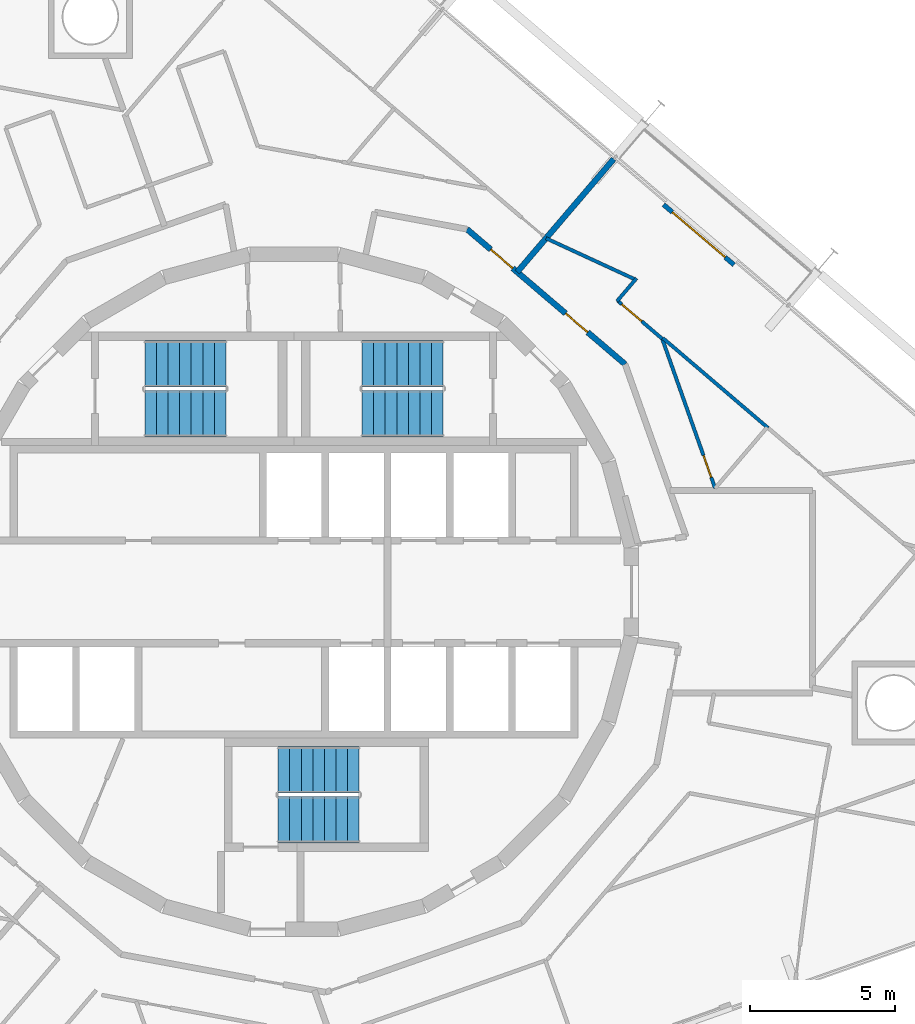
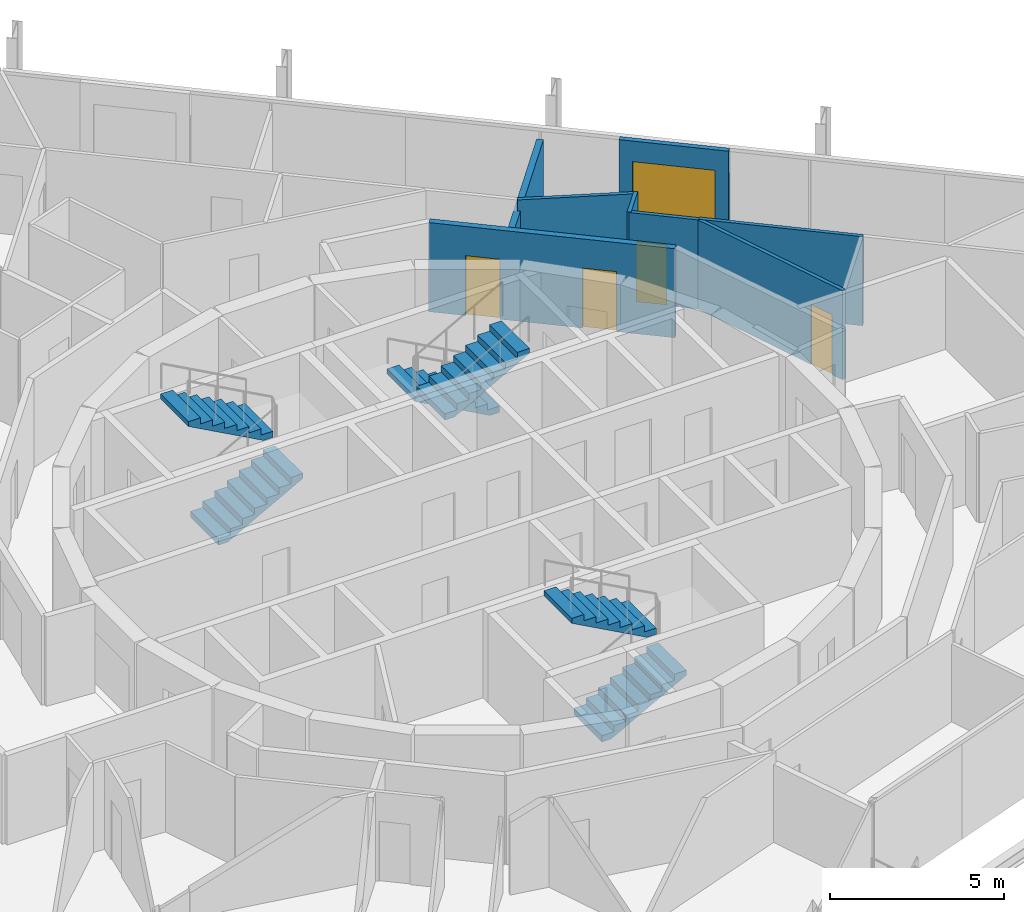
# One storey, part 16 of 17: 8 walls, 6 stair flights, 5 doors, 5 openings, 3 elements without a shape of their own.
"""IFC4 building model written with IfcOpenShell, lengths in metres."""

from ifc_helpers import new_model, si_unit, direction, frame, frame_2d, origin, place, context, subcontext, project, spatial, polyline, rectangle, outline, extrude, material, layer, layer_set, type_object, element, fill, aggregate, save


model = new_model("IFC4")

# Units and contexts
model_context = context("Model", 3, precision=1e-05, world=origin(), true_north=direction((0.0, 1.0)))
body_context = subcontext(model_context, "Body", "Model", "MODEL_VIEW")
ifc_project = project(units=[si_unit("LENGTHUNIT", "METRE"), si_unit("AREAUNIT", "SQUARE_METRE"), si_unit("VOLUMEUNIT", "CUBIC_METRE"), si_unit("PLANEANGLEUNIT", "RADIAN"), si_unit("MASSUNIT", "GRAM", prefix="KILO")], contexts=[model_context])

# Site, building, storey
site_placement = place(None, origin())
site = spatial("IfcSite", under=ifc_project, at=site_placement, CompositionType="ELEMENT")
building_placement = place(site_placement, origin())
building = spatial("IfcBuilding", under=site, at=building_placement, Name="Spindle Arch Residences", CompositionType="ELEMENT")
storey_placement = place(building_placement, frame((0.0, 0.0, 172.699951171875)))
storey = spatial("IfcBuildingStorey", under=building, at=storey_placement, Name="L43", CompositionType="ELEMENT", Elevation=172.699951171875)

# Wall, openings, doors
ifc_material_1 = material(Name="Calcium silicate block, plastered")
ifc_layer_1 = layer(ifc_material_1, 0.199951171875)
ifc_layer_set_1 = layer_set([ifc_layer_1], Name="Corridor wall 200")
wall_type_1 = type_object("IfcWallType", Name="Corridor wall 200", PredefinedType="STANDARD", material=ifc_layer_set_1)
wall_1_placement = place(storey_placement, frame((11.432861328125, 7.857666015625, 0.0), z_axis=(0.0, 0.0, 1.0), x_axis=(-0.760412154545, 0.649440801937, 0.0)))
wall_1 = element("IfcWall", 1, at=wall_1_placement, inside=storey, type_object=wall_type_1, Name="Corridor wall R4C0-W004", PredefinedType="STANDARD", context=body_context, shape_type="SweptSolid", body=[
    extrude(rectangle(XDim=7.180908203125, YDim=0.199951171875, at=frame_2d((3.59033203125, 0.0))), origin(), (0.0, 0.0, 1.0), 3.1201171875),
])
opening_1_placement = place(wall_1_placement, frame((1.699951171875, 0.0, 0.0)))
opening_1 = element("IfcOpeningElement", 2, at=opening_1_placement, cuts=wall_1, Name="Opening R4C0-FD01", PredefinedType="OPENING", context=body_context, shape_type="SweptSolid", body=[
    extrude(rectangle(XDim=1.0, YDim=2.10009765625, at=frame_2d((0.5, 1.050048828125))), frame((0.0, 0.10986328125, 0.0), z_axis=(0.0, -1.0, 0.0), x_axis=(1.0, 0.0, 0.0)), (0.0, 0.0, 1.0), 0.219970703125),
])
opening_2_placement = place(wall_1_placement, frame((5.1005859375, 0.0, 0.0)))
opening_2 = element("IfcOpeningElement", 3, at=opening_2_placement, cuts=wall_1, Name="Opening R4C0-FD02", PredefinedType="OPENING", context=body_context, shape_type="SweptSolid", body=[
    extrude(rectangle(XDim=1.0, YDim=2.10009765625, at=frame_2d((0.5, 1.050048828125))), frame((0.0, 0.10986328125, 0.0), z_axis=(0.0, -1.0, 0.0), x_axis=(1.0, 0.0, 0.0)), (0.0, 0.0, 1.0), 0.219970703125),
])
ifc_material_2 = material(Name="Timber, fire-resisting door set", Category="wood")
door_type_1 = type_object("IfcDoorType", Name="Flat entrance door 1000x2100", OperationType="NOTDEFINED", PredefinedType="DOOR", material=ifc_material_2)
door_1_placement = place(opening_1_placement, origin())
door_1 = element("IfcDoor", 4, at=door_1_placement, inside=storey, type_object=door_type_1, Name="Flat entrance door R4C0-FD01", OperationType="SINGLE_SWING_LEFT", OverallHeight=2.10009765625, OverallWidth=1.0, PredefinedType="DOOR", context=body_context, shape_type="SweptSolid", body=[
    extrude(rectangle(XDim=1.0, YDim=2.10009765625, at=frame_2d((0.5, 1.050048828125))), frame((0.0, 0.02490234375, 0.0), z_axis=(0.0, -1.0, 0.0), x_axis=(1.0, 0.0, 0.0)), (0.0, 0.0, 1.0), 0.050048828125),
])
fill(opening_1, door_1)
door_2_placement = place(opening_2_placement, origin())
door_2 = element("IfcDoor", 5, at=door_2_placement, inside=storey, type_object=door_type_1, Name="Flat entrance door R4C0-FD02", OperationType="SINGLE_SWING_RIGHT", OverallHeight=2.10009765625, OverallWidth=1.0, PredefinedType="DOOR", context=body_context, shape_type="SweptSolid", body=[
    extrude(rectangle(XDim=1.0, YDim=2.10009765625, at=frame_2d((0.5, 1.050048828125))), frame((0.0, 0.02490234375, 0.0), z_axis=(0.0, -1.0, 0.0), x_axis=(1.0, 0.0, 0.0)), (0.0, 0.0, 1.0), 0.050048828125),
])
fill(opening_2, door_2)

# Wall, opening, door
ifc_material_3 = material(Name="Plasterboard on steel studs", Category="steel")
ifc_layer_2 = layer(ifc_material_3, 0.1201171875)
ifc_layer_set_2 = layer_set([ifc_layer_2], Name="Flat partition 120")
wall_type_2 = type_object("IfcWallType", Name="Flat partition 120", PredefinedType="PARTITIONING", material=ifc_layer_set_2)
wall_2_placement = place(storey_placement, frame((14.540771484375, 3.57470703125, 0.0), z_axis=(0.0, 0.0, 1.0), x_axis=(-0.333799280318, 0.942644174893, 0.0)))
wall_2 = element("IfcWall", 6, at=wall_2_placement, inside=storey, type_object=wall_type_2, Name="Flat partition R4C0-W037", PredefinedType="PARTITIONING", context=body_context, shape_type="SweptSolid", body=[
    extrude(rectangle(XDim=5.476806640625, YDim=0.1201171875, at=frame_2d((2.73828125, 0.0))), origin(), (0.0, 0.0, 1.0), 3.1201171875),
])
opening_3_placement = place(wall_2_placement, frame((0.39990234375, 0.0, 0.0)))
opening_3 = element("IfcOpeningElement", 7, at=opening_3_placement, cuts=wall_2, Name="Opening R4C0-BD01", PredefinedType="OPENING", context=body_context, shape_type="SweptSolid", body=[
    extrude(rectangle(XDim=0.800048828125, YDim=2.10009765625, at=frame_2d((0.39990234375, 1.050048828125))), frame((0.0, 0.070068359375, 0.0), z_axis=(0.0, -1.0, 0.0), x_axis=(1.0, 0.0, 0.0)), (0.0, 0.0, 1.0), 0.14013671875),
])
ifc_material_4 = material(Name="Timber door set", Category="wood")
door_type_2 = type_object("IfcDoorType", Name="Bathroom door 800x2100", OperationType="NOTDEFINED", PredefinedType="DOOR", material=ifc_material_4)
door_3_placement = place(opening_3_placement, origin())
door_3 = element("IfcDoor", 8, at=door_3_placement, inside=storey, type_object=door_type_2, Name="Bathroom door R4C0-BD01", OperationType="SINGLE_SWING_LEFT", OverallHeight=2.10009765625, OverallWidth=0.800048828125, PredefinedType="DOOR", context=body_context, shape_type="SweptSolid", body=[
    extrude(rectangle(XDim=0.800048828125, YDim=2.10009765625, at=frame_2d((0.39990234375, 1.050048828125))), frame((0.0, 0.02490234375, 0.0), z_axis=(0.0, -1.0, 0.0), x_axis=(1.0, 0.0, 0.0)), (0.0, 0.0, 1.0), 0.050048828125),
])
fill(opening_3, door_3)

wall_3_placement = place(storey_placement, frame((12.712646484375, 8.7373046875, 0.0), z_axis=(0.0, 0.0, 1.0), x_axis=(-0.760410825807, 0.649442357716, 0.0)))
wall_3 = element("IfcWall", 9, at=wall_3_placement, inside=storey, type_object=wall_type_2, Name="Flat partition R4C0-W038", PredefinedType="PARTITIONING", context=body_context, shape_type="SweptSolid", body=[
    extrude(rectangle(XDim=2.028564453125, YDim=0.1201171875, at=frame_2d((1.01416015625, 0.0))), origin(), (0.0, 0.0, 1.0), 3.1201171875),
])
opening_4_placement = place(wall_3_placement, frame((0.9287109375, 0.0, 0.0)))
opening_4 = element("IfcOpeningElement", 10, at=opening_4_placement, cuts=wall_3, Name="Opening R4C0-ID01", PredefinedType="OPENING", context=body_context, shape_type="SweptSolid", body=[
    extrude(rectangle(XDim=0.89990234375, YDim=2.10009765625, at=frame_2d((0.449951171875, 1.050048828125))), frame((0.0, 0.070068359375, 0.0), z_axis=(0.0, -1.0, 0.0), x_axis=(1.0, 0.0, 0.0)), (0.0, 0.0, 1.0), 0.14013671875),
])
ifc_material_5 = material(Name="Timber door set", Category="wood")
door_type_3 = type_object("IfcDoorType", Name="Room door 900x2100", OperationType="NOTDEFINED", PredefinedType="DOOR", material=ifc_material_5)
door_4_placement = place(opening_4_placement, origin())
door_4 = element("IfcDoor", 11, at=door_4_placement, inside=storey, type_object=door_type_3, Name="Room door R4C0-ID01", OperationType="SINGLE_SWING_LEFT", OverallHeight=2.10009765625, OverallWidth=0.89990234375, PredefinedType="DOOR", context=body_context, shape_type="SweptSolid", body=[
    extrude(rectangle(XDim=0.89990234375, YDim=2.10009765625, at=frame_2d((0.449951171875, 1.050048828125))), frame((0.0, 0.02490234375, 0.0), z_axis=(0.0, -1.0, 0.0), x_axis=(1.0, 0.0, 0.0)), (0.0, 0.0, 1.0), 0.050048828125),
])
fill(opening_4, door_4)

# Walls
wall_4_placement = place(storey_placement, frame((12.734130859375, 8.76220703125, 0.0), z_axis=(0.0, 0.0, 1.0), x_axis=(0.760390484255, -0.649466174219, 0.0)))
element("IfcWall", 12, at=wall_4_placement, inside=storey, type_object=wall_type_2, Name="Flat partition R4C0-W039", PredefinedType="PARTITIONING", context=body_context, shape_type="SweptSolid", body=[
    extrude(rectangle(XDim=4.78271484375, YDim=0.1201171875, at=frame_2d((2.391357421875, 0.0))), origin(), (0.0, 0.0, 1.0), 3.1201171875),
])
wall_5_placement = place(storey_placement, frame((11.152587890625, 10.0341796875, 0.0), z_axis=(0.0, 0.0, 1.0), x_axis=(0.649381401329, 0.760462882466, 0.0)))
element("IfcWall", 13, at=wall_5_placement, inside=storey, type_object=wall_type_2, Name="Flat partition R4C0-W040", PredefinedType="PARTITIONING", context=body_context, shape_type="SweptSolid", body=[
    extrude(rectangle(XDim=1.041748046875, YDim=0.1201171875, at=frame_2d((0.52099609375, 0.0))), origin(), (0.0, 0.0, 1.0), 3.1201171875),
])
wall_6_placement = place(storey_placement, frame((11.790283203125, 10.78076171875, 0.0), z_axis=(0.0, 0.0, 1.0), x_axis=(-0.907999296286, 0.418971691101, 0.0)))
element("IfcWall", 14, at=wall_6_placement, inside=storey, type_object=wall_type_2, Name="Flat partition R4C0-W041", PredefinedType="PARTITIONING", context=body_context, shape_type="SweptSolid", body=[
    extrude(rectangle(XDim=3.4013671875, YDim=0.1201171875, at=frame_2d((1.70068359375, 0.0))), origin(), (0.0, 0.0, 1.0), 3.1201171875),
])
ifc_material_6 = material(Name="Calcium silicate block, plastered")
ifc_layer_3 = layer(ifc_material_6, 0.199951171875)
ifc_layer_set_3 = layer_set([ifc_layer_3], Name="Flat party wall 200 under beam 2730")
wall_type_3 = type_object("IfcWallType", Name="Flat party wall 200 under beam 2730", PredefinedType="STANDARD", material=ifc_layer_set_3)
wall_7_placement = place(storey_placement, frame((11.0400390625, 14.943359375, 0.0), z_axis=(0.0, 0.0, 1.0), x_axis=(-0.649442880087, -0.760410379666, 0.0)))
element("IfcWall", 15, at=wall_7_placement, inside=storey, type_object=wall_type_3, Name="Flat party wall R4C0-W026", PredefinedType="STANDARD", context=body_context, shape_type="SweptSolid", body=[
    extrude(rectangle(XDim=5.1328125, YDim=0.199951171875, at=frame_2d((2.56640625, 0.0))), origin(), (0.0, 0.0, 1.0), 2.72998046875),
])

# Wall, opening, door
ifc_material_7 = material(Name="Non-combustible mineral wool insulated aluminium faced external wall (K0)", Category="aluminium")
ifc_layer_4 = layer(ifc_material_7, 0.159912109375)
ifc_layer_set_4 = layer_set([ifc_layer_4], Name="Insulated external wall panel 160")
wall_type_4 = type_object("IfcWallType", Name="Insulated external wall panel 160", PredefinedType="STANDARD", material=ifc_layer_set_4)
wall_8_placement = place(storey_placement, frame((15.193115234375, 11.291015625, 0.0), z_axis=(0.0, 0.0, 1.0), x_axis=(-0.760391731187, 0.649464714317, 0.0)))
wall_8 = element("IfcWall", 16, at=wall_8_placement, inside=storey, type_object=wall_type_4, Name="External wall L43 bay 7", PredefinedType="STANDARD", context=body_context, shape_type="SweptSolid", body=[
    extrude(rectangle(XDim=3.2001953125, YDim=0.159912109375, at=frame_2d((1.60009765625, 0.0))), origin(), (0.0, 0.0, 1.0), 3.1201171875),
])
opening_5_placement = place(wall_8_placement, frame((0.39990234375, 0.0, 0.0)))
opening_5 = element("IfcOpeningElement", 17, at=opening_5_placement, cuts=wall_8, Name="Opening BD07", PredefinedType="OPENING", context=body_context, shape_type="SweptSolid", body=[
    extrude(rectangle(XDim=2.39990234375, YDim=2.39990234375, at=frame_2d((1.199951171875, 1.199951171875))), frame((0.0, 0.08984375, 0.0), z_axis=(0.0, -1.0, 0.0), x_axis=(1.0, 0.0, 0.0)), (0.0, 0.0, 1.0), 0.179931640625),
])
ifc_material_8 = material(Name="Bronze aluminium frame, tinted double glazing", Category="aluminium")
door_type_4 = type_object("IfcDoorType", Name="Sliding glazed balcony door 2400x2400", OperationType="DOUBLE_DOOR_SLIDING", PredefinedType="DOOR", material=ifc_material_8)
door_5_placement = place(opening_5_placement, origin())
door_5 = element("IfcDoor", 18, at=door_5_placement, inside=storey, type_object=door_type_4, Name="Balcony door BD07", OperationType="DOUBLE_DOOR_SLIDING", OverallHeight=2.39990234375, OverallWidth=2.39990234375, PredefinedType="DOOR", context=body_context, shape_type="SweptSolid", body=[
    extrude(rectangle(XDim=2.39990234375, YDim=2.39990234375, at=frame_2d((1.199951171875, 1.199951171875))), frame((0.0, 0.02490234375, 0.0), z_axis=(0.0, -1.0, 0.0), x_axis=(1.0, 0.0, 0.0)), (0.0, 0.0, 1.0), 0.050048828125),
])
fill(opening_5, door_5)

# Stair, stair flights
ifc_material_9 = material(Name="Concrete C50/60", Category="concrete")
stair_type = type_object("IfcStairType", Name="Exit stair 16 risers", PredefinedType="HALF_TURN_STAIR", material=ifc_material_9)
stair_1_placement = place(storey_placement, origin())
stair_1 = element("IfcStair", 19, at=stair_1_placement, inside=storey, type_object=stair_type, Name="L43 Exit stair ST1", PredefinedType="HALF_TURN_STAIR")
ifc_material_10 = material(Name="Concrete C50/60", Category="concrete")
stair_flight_type = type_object("IfcStairFlightType", Name="Exit stair flight", PredefinedType="STRAIGHT", material=ifc_material_10)
stair_flight_1_placement = place(storey_placement, frame((5.14990234375, 7.8701171875, 0.0), z_axis=(0.0, 0.0, 1.0), x_axis=(-1.0, 0.0, 0.0)))
stair_flight_1 = element("IfcStairFlight", 20, at=stair_flight_1_placement, type_object=stair_flight_type, Name="ST1 flight 1", NumberOfRisers=8, NumberOfTreads=7, PredefinedType="STRAIGHT", RiserHeight=0.21875, TreadLength=0.4, context=body_context, shape_type="SweptSolid", body=[
    extrude(outline(polyline([(0.0, 0.0), (0.0, 0.21875), (0.39990234375, 0.21875), (0.39990234375, 0.4375), (0.800048828125, 0.4375), (0.800048828125, 0.65625), (1.199951171875, 0.65625), (1.199951171875, 0.875), (1.60009765625, 0.875), (1.60009765625, 1.09375), (2.0, 1.09375), (2.0, 1.3125), (2.39990234375, 1.3125), (2.39990234375, 1.53125), (2.800048828125, 1.53125), (2.800048828125, 1.75), (2.800048828125, 1.3603515625), (0.3125, 0.0), (0.0, 0.0)])), frame((0.0, 0.800048828125, 0.0), z_axis=(0.0, -1.0, 0.0), x_axis=(1.0, 0.0, 0.0)), (0.0, 0.0, 1.0), 1.60009765625),
])
stair_flight_2_placement = place(storey_placement, frame((2.35009765625, 6.14990234375, 1.75), z_axis=(0.0, 0.0, 1.0), x_axis=(1.0, 0.0, 0.0)))
stair_flight_2 = element("IfcStairFlight", 21, at=stair_flight_2_placement, type_object=stair_flight_type, Name="ST1 flight 2", NumberOfRisers=8, NumberOfTreads=7, PredefinedType="STRAIGHT", RiserHeight=0.21875, TreadLength=0.4, context=body_context, shape_type="SweptSolid", body=[
    extrude(outline(polyline([(0.0, 0.0), (0.0, 0.21875), (0.39990234375, 0.21875), (0.39990234375, 0.4375), (0.800048828125, 0.4375), (0.800048828125, 0.65625), (1.199951171875, 0.65625), (1.199951171875, 0.875), (1.60009765625, 0.875), (1.60009765625, 1.09375), (2.0, 1.09375), (2.0, 1.3125), (2.39990234375, 1.3125), (2.39990234375, 1.53125), (2.800048828125, 1.53125), (2.800048828125, 1.75), (2.800048828125, 1.3603515625), (0.3125, 0.0), (0.0, 0.0)])), frame((0.0, 0.800048828125, 0.0), z_axis=(0.0, -1.0, 0.0), x_axis=(1.0, 0.0, 0.0)), (0.0, 0.0, 1.0), 1.60009765625),
])
aggregate(stair_1, [stair_flight_1, stair_flight_2])

stair_2_placement = place(storey_placement, origin())
stair_2 = element("IfcStair", 22, at=stair_2_placement, inside=storey, type_object=stair_type, Name="L43 Exit stair ST2", PredefinedType="HALF_TURN_STAIR")
stair_flight_3_placement = place(storey_placement, frame((-5.14990234375, 6.14990234375, 0.0), z_axis=(0.0, 0.0, 1.0), x_axis=(1.0, 0.0, 0.0)))
stair_flight_3 = element("IfcStairFlight", 23, at=stair_flight_3_placement, type_object=stair_flight_type, Name="ST2 flight 1", NumberOfRisers=8, NumberOfTreads=7, PredefinedType="STRAIGHT", RiserHeight=0.21875, TreadLength=0.4, context=body_context, shape_type="SweptSolid", body=[
    extrude(outline(polyline([(0.0, 0.0), (0.0, 0.21875), (0.39990234375, 0.21875), (0.39990234375, 0.4375), (0.800048828125, 0.4375), (0.800048828125, 0.65625), (1.199951171875, 0.65625), (1.199951171875, 0.875), (1.60009765625, 0.875), (1.60009765625, 1.09375), (2.0, 1.09375), (2.0, 1.3125), (2.39990234375, 1.3125), (2.39990234375, 1.53125), (2.800048828125, 1.53125), (2.800048828125, 1.75), (2.800048828125, 1.3603515625), (0.3125, 0.0), (0.0, 0.0)])), frame((0.0, 0.800048828125, 0.0), z_axis=(0.0, -1.0, 0.0), x_axis=(1.0, 0.0, 0.0)), (0.0, 0.0, 1.0), 1.60009765625),
])
stair_flight_4_placement = place(storey_placement, frame((-2.35009765625, 7.8701171875, 1.75), z_axis=(0.0, 0.0, 1.0), x_axis=(-1.0, 0.0, 0.0)))
stair_flight_4 = element("IfcStairFlight", 24, at=stair_flight_4_placement, type_object=stair_flight_type, Name="ST2 flight 2", NumberOfRisers=8, NumberOfTreads=7, PredefinedType="STRAIGHT", RiserHeight=0.21875, TreadLength=0.4, context=body_context, shape_type="SweptSolid", body=[
    extrude(outline(polyline([(0.0, 0.0), (0.0, 0.21875), (0.39990234375, 0.21875), (0.39990234375, 0.4375), (0.800048828125, 0.4375), (0.800048828125, 0.65625), (1.199951171875, 0.65625), (1.199951171875, 0.875), (1.60009765625, 0.875), (1.60009765625, 1.09375), (2.0, 1.09375), (2.0, 1.3125), (2.39990234375, 1.3125), (2.39990234375, 1.53125), (2.800048828125, 1.53125), (2.800048828125, 1.75), (2.800048828125, 1.3603515625), (0.3125, 0.0), (0.0, 0.0)])), frame((0.0, 0.800048828125, 0.0), z_axis=(0.0, -1.0, 0.0), x_axis=(1.0, 0.0, 0.0)), (0.0, 0.0, 1.0), 1.60009765625),
])
aggregate(stair_2, [stair_flight_3, stair_flight_4])

stair_3_placement = place(storey_placement, origin())
stair_3 = element("IfcStair", 25, at=stair_3_placement, inside=storey, type_object=stair_type, Name="L43 Exit stair ST3", PredefinedType="HALF_TURN_STAIR")
stair_flight_5_placement = place(storey_placement, frame((-0.550048828125, -7.8701171875, 0.0), z_axis=(0.0, 0.0, 1.0), x_axis=(1.0, 0.0, 0.0)))
stair_flight_5 = element("IfcStairFlight", 26, at=stair_flight_5_placement, type_object=stair_flight_type, Name="ST3 flight 1", NumberOfRisers=8, NumberOfTreads=7, PredefinedType="STRAIGHT", RiserHeight=0.21875, TreadLength=0.4, context=body_context, shape_type="SweptSolid", body=[
    extrude(outline(polyline([(0.0, 0.0), (0.0, 0.21875), (0.39990234375, 0.21875), (0.39990234375, 0.4375), (0.800048828125, 0.4375), (0.800048828125, 0.65625), (1.199951171875, 0.65625), (1.199951171875, 0.875), (1.60009765625, 0.875), (1.60009765625, 1.09375), (2.0, 1.09375), (2.0, 1.3125), (2.39990234375, 1.3125), (2.39990234375, 1.53125), (2.800048828125, 1.53125), (2.800048828125, 1.75), (2.800048828125, 1.3603515625), (0.3125, 0.0), (0.0, 0.0)])), frame((0.0, 0.800048828125, 0.0), z_axis=(0.0, -1.0, 0.0), x_axis=(1.0, 0.0, 0.0)), (0.0, 0.0, 1.0), 1.60009765625),
])
stair_flight_6_placement = place(storey_placement, frame((2.25, -6.14990234375, 1.75), z_axis=(0.0, 0.0, 1.0), x_axis=(-1.0, 0.0, 0.0)))
stair_flight_6 = element("IfcStairFlight", 27, at=stair_flight_6_placement, type_object=stair_flight_type, Name="ST3 flight 2", NumberOfRisers=8, NumberOfTreads=7, PredefinedType="STRAIGHT", RiserHeight=0.21875, TreadLength=0.4, context=body_context, shape_type="SweptSolid", body=[
    extrude(outline(polyline([(0.0, 0.0), (0.0, 0.21875), (0.39990234375, 0.21875), (0.39990234375, 0.4375), (0.800048828125, 0.4375), (0.800048828125, 0.65625), (1.199951171875, 0.65625), (1.199951171875, 0.875), (1.60009765625, 0.875), (1.60009765625, 1.09375), (2.0, 1.09375), (2.0, 1.3125), (2.39990234375, 1.3125), (2.39990234375, 1.53125), (2.800048828125, 1.53125), (2.800048828125, 1.75), (2.800048828125, 1.3603515625), (0.3125, 0.0), (0.0, 0.0)])), frame((0.0, 0.800048828125, 0.0), z_axis=(0.0, -1.0, 0.0), x_axis=(1.0, 0.0, 0.0)), (0.0, 0.0, 1.0), 1.60009765625),
])
aggregate(stair_3, [stair_flight_5, stair_flight_6])

save(model, "model.ifc")
